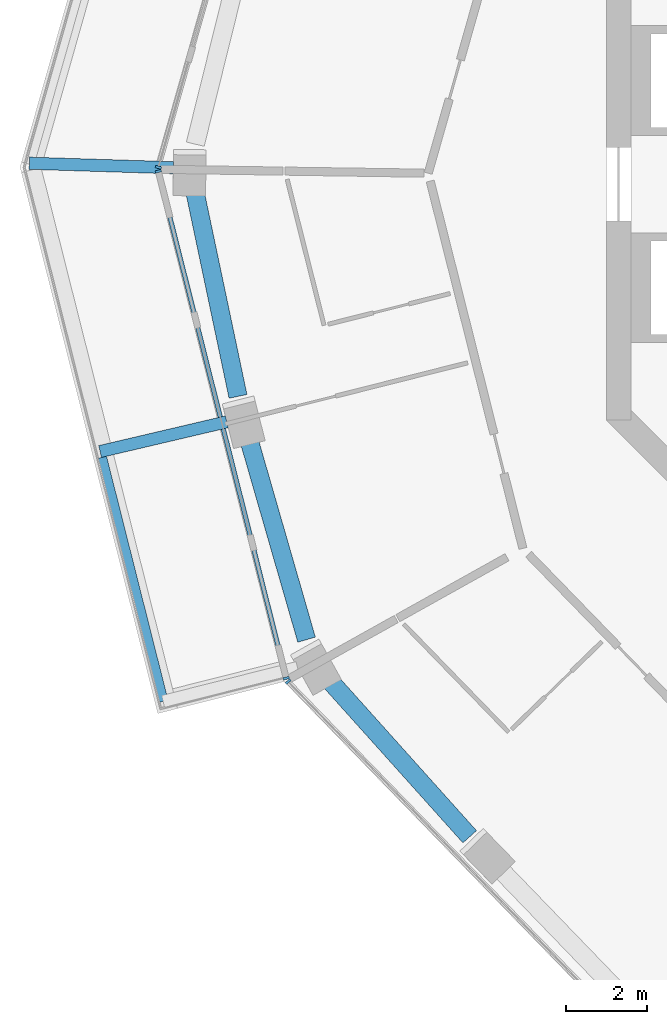
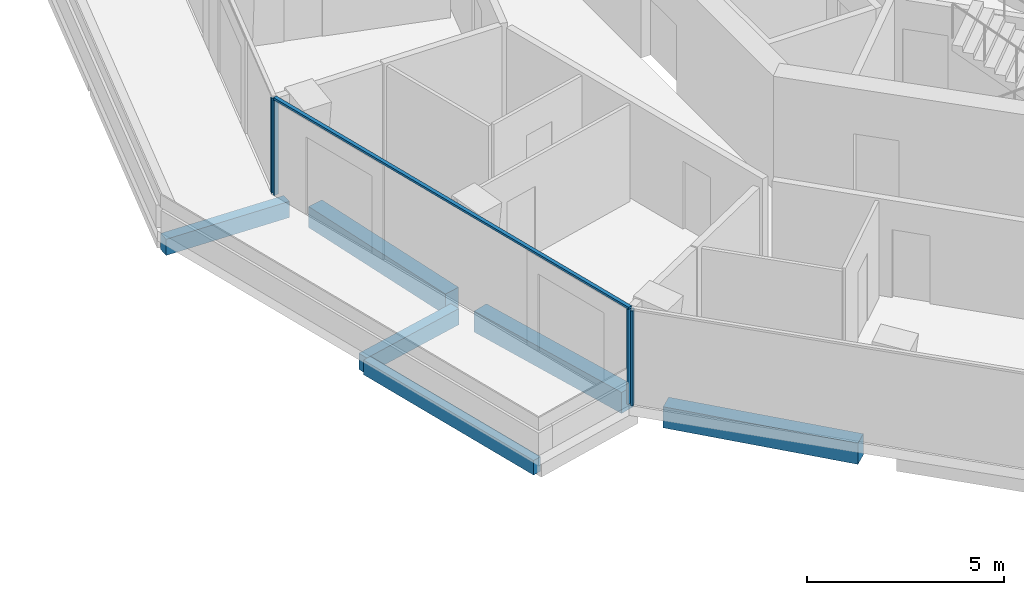
# One storey, part 4 of 24: 6 beams, 5 members, 3 elements without a shape of their own.
"""IFC4 building model written with IfcOpenShell, lengths in metres."""

import ifcopenshell
import ifcopenshell.guid

model = None  # the IFC model being written
_history = None  # IfcOwnerHistory: only IFC2X3 demands one
_inside = {}  # id of a spatial element -> (the spatial element, [elements in it])
_under = {}  # id of a project, library or spatial element -> (it, [spatial elements below it])
_declared = {}  # id of a project -> (the project, [libraries it declares])
_typed = {}  # id of a type object -> (the type object, [elements of that type])
_made_of = {}  # id of a material, layer set ... -> (it, [elements and type objects made of it])


def new_model(schema):
    """Start an empty IFC model of exactly this schema.

    Asked for "IFC4X3", IfcOpenShell would pick the latest addendum, in which some entities
    have other attributes; the version numbers below select the first issue.
    IFC2X3 requires an IfcOwnerHistory on every rooted entity: one is made here for all.
    """
    global model, _history
    if schema == "IFC4X3":
        model = ifcopenshell.file(schema_version=(4, 3, 0, 0))
    else:
        model = ifcopenshell.file(schema=schema)
    _inside.clear()
    _under.clear()
    _declared.clear()
    _typed.clear()
    _made_of.clear()
    _history = None
    if model.schema == "IFC2X3":
        org = make("IfcOrganization", Name="unknown")
        user = make(
            "IfcPersonAndOrganization",
            ThePerson=make("IfcPerson", FamilyName="unknown"),
            TheOrganization=org,
        )
        app = make(
            "IfcApplication",
            ApplicationDeveloper=org,
            Version="unknown",
            ApplicationFullName="unknown",
            ApplicationIdentifier="unknown",
        )
        _history = make(
            "IfcOwnerHistory",
            OwningUser=user,
            OwningApplication=app,
            ChangeAction="ADDED",
            CreationDate=0,
        )
    return model


def make(cls, **values):
    """One entity of the class cls with the attributes given. An attribute that is None is left unset."""
    return model.create_entity(
        cls, **{name: value for name, value in values.items() if value is not None}
    )


def rooted(cls, **values):
    """An entity with a GlobalId (a new one), such as an element, a storey or a relation."""
    return make(cls, GlobalId=ifcopenshell.guid.new(), OwnerHistory=_history, **values)


def si_unit(unit_type, name, prefix=None):
    """IfcSIUnit, for example si_unit("LENGTHUNIT", "METRE", prefix="MILLI")."""
    return make("IfcSIUnit", UnitType=unit_type, Prefix=prefix, Name=name)


def assignment(units):
    """IfcUnitAssignment: the units of a project."""
    return None if units is None else make("IfcUnitAssignment", Units=units)


def point(xyz):
    """IfcCartesianPoint."""
    return None if xyz is None else make("IfcCartesianPoint", Coordinates=xyz)


def direction(xyz):
    """IfcDirection."""
    return None if xyz is None else make("IfcDirection", DirectionRatios=xyz)


def frame(location, z_axis=None, x_axis=None):
    """IfcAxis2Placement3D, a coordinate frame: its origin and axes. An axis left out is left unset."""
    return make(
        "IfcAxis2Placement3D",
        Location=point(location),
        Axis=direction(z_axis),
        RefDirection=direction(x_axis),
    )


def frame_2d(location, x_axis=None):
    """IfcAxis2Placement2D, a coordinate frame in the plane: its origin and x axis."""
    return make(
        "IfcAxis2Placement2D", Location=point(location), RefDirection=direction(x_axis)
    )


def origin():
    """The frame at (0, 0, 0) with its axes left unset."""
    return frame((0.0, 0.0, 0.0))


def origin_2d():
    """The frame at (0, 0) in the plane with its x axis left unset."""
    return frame_2d((0.0, 0.0))


def place(relative_to, where):
    """IfcLocalPlacement: puts the frame where relative to a parent placement (None: the world)."""
    return make(
        "IfcLocalPlacement", PlacementRelTo=relative_to, RelativePlacement=where
    )


def context(
    kind, dimensions, precision=None, world=None, true_north=None, identifier=None
):
    """IfcGeometricRepresentationContext, for example the 3D "Model" context."""
    return make(
        "IfcGeometricRepresentationContext",
        ContextIdentifier=identifier,
        ContextType=kind,
        CoordinateSpaceDimension=dimensions,
        Precision=precision,
        WorldCoordinateSystem=world,
        TrueNorth=true_north,
    )


def subcontext(parent, identifier, kind, view, scale=None):
    """IfcGeometricRepresentationSubContext, for example "Body" below "Model"."""
    return make(
        "IfcGeometricRepresentationSubContext",
        ContextIdentifier=identifier,
        ContextType=kind,
        ParentContext=parent,
        TargetScale=scale,
        TargetView=view,
    )


def project(units=None, contexts=None):
    """IfcProject with its units and contexts."""
    return rooted(
        "IfcProject",
        Name="project",
        RepresentationContexts=contexts,
        UnitsInContext=assignment(units),
    )


def spatial(cls, under=None, at=None, **own):
    """A site, building, storey or space (cls), placed at a placement, below another one or the project."""
    s = rooted(cls, ObjectPlacement=at, **own)
    if under is not None:
        _under.setdefault(under.id(), (under, []))[1].append(s)
    return s


def profile(cls, at=None, kind="AREA", **sizes):
    """A parametric profile (cls). Its sizes go by their IFC names, for example OverallWidth=200.0."""
    return make(cls, ProfileType=kind, Position=at, **sizes)


def rectangle(**sizes):
    """IfcRectangleProfileDef."""
    return profile("IfcRectangleProfileDef", **sizes)


def extrude(swept, where, along, depth):
    """IfcExtrudedAreaSolid: the profile swept, set in the frame where, extruded along a direction by depth."""
    return make(
        "IfcExtrudedAreaSolid",
        SweptArea=swept,
        Position=where,
        ExtrudedDirection=direction(along),
        Depth=depth,
    )


def shape(context_of_items, identifier, shape_type, items):
    """IfcShapeRepresentation: the items that make up one representation, for example the "Body"."""
    return make(
        "IfcShapeRepresentation",
        ContextOfItems=context_of_items,
        RepresentationIdentifier=identifier,
        RepresentationType=shape_type,
        Items=items,
    )


def material(Name=None, Category=None):
    """IfcMaterial."""
    return make("IfcMaterial", Name=Name, Category=Category)


def layer(
    of_material, thickness, ventilated=None, Name=None, Category=None, Priority=None
):
    """IfcMaterialLayer: one layer of a wall or slab, of a material (None: an air gap)."""
    return make(
        "IfcMaterialLayer",
        Material=of_material,
        LayerThickness=thickness,
        IsVentilated=ventilated,
        Name=Name,
        Category=Category,
        Priority=Priority,
    )


def layer_set(layers, Name=None):
    """IfcMaterialLayerSet."""
    return make("IfcMaterialLayerSet", MaterialLayers=layers, LayerSetName=Name)


def material_profile(
    of_material, cross_section, Name=None, Category=None, Priority=None
):
    """IfcMaterialProfile: a cross section and its material."""
    return make(
        "IfcMaterialProfile",
        Name=Name,
        Material=of_material,
        Profile=cross_section,
        Priority=Priority,
        Category=Category,
    )


def profile_set(profiles, Name=None, composite=None):
    """IfcMaterialProfileSet."""
    return make(
        "IfcMaterialProfileSet",
        Name=Name,
        MaterialProfiles=profiles,
        CompositeProfile=composite,
    )


def made_of(thing, what):
    """Note that an element or type object is made of a material, layer set ...; save() writes the relation."""
    if what is not None:
        _made_of.setdefault(what.id(), (what, []))[1].append(thing)
    return thing


def type_object(cls, material=None, **own):
    """A type object (cls), such as IfcWallType, which elements share."""
    return made_of(rooted(cls, **own), material)


def element(
    cls,
    number,
    at=None,
    inside=None,
    cuts=None,
    type_object=None,
    material=None,
    context=None,
    identifier="Body",
    shape_type=None,
    held_by="IfcProductDefinitionShape",
    body=None,
    shapes=None,
    **own,
):
    """One element of the class cls, such as IfcWall. Its Tag is "e" and its number.

    at: its placement. inside: the storey or other place that contains it. cuts: it is an
    opening in that element (IfcRelVoidsElement). A single representation is given by context,
    identifier, shape_type and body (its items); several are given by shapes. held_by: the class
    of the entity that holds the representations. save() writes the other relations.
    """
    e = rooted(cls, Tag="e%d" % number, ObjectPlacement=at, **own)
    if body is not None:
        shapes = [shape(context, identifier, shape_type, body)]
    if shapes is not None:
        e.Representation = make(held_by, Representations=shapes)
    if inside is not None:
        _inside.setdefault(inside.id(), (inside, []))[1].append(e)
    if cuts is not None:
        rooted(
            "IfcRelVoidsElement", RelatingBuildingElement=cuts, RelatedOpeningElement=e
        )
    if type_object is not None:
        _typed.setdefault(type_object.id(), (type_object, []))[1].append(e)
    return made_of(e, material)


def aggregate(whole, parts):
    """IfcRelAggregates: a whole, such as a stair, and the parts it consists of."""
    return rooted("IfcRelAggregates", RelatingObject=whole, RelatedObjects=parts)


def save(model, path):
    """Write the relations noted so far, then the file.

    IfcRelAggregates (storeys below a building ...), IfcRelContainedInSpatialStructure (elements
    in a storey), IfcRelDefinesByType, IfcRelAssociatesMaterial and IfcRelDeclares: one each for
    every whole, place, type object, material and project.
    """
    for whole, parts in _under.values():
        aggregate(whole, parts)
    for where, things in _inside.values():
        rooted(
            "IfcRelContainedInSpatialStructure",
            RelatedElements=things,
            RelatingStructure=where,
        )
    for kind, things in _typed.values():
        rooted("IfcRelDefinesByType", RelatedObjects=things, RelatingType=kind)
    for what, things in _made_of.values():
        rooted("IfcRelAssociatesMaterial", RelatedObjects=things, RelatingMaterial=what)
    for by, libraries in _declared.values():
        rooted("IfcRelDeclares", RelatingContext=by, RelatedDefinitions=libraries)
    model.write(path)


model = new_model("IFC4")

# Units and contexts
model_context = context("Model", 3, precision=1e-05, world=origin(), true_north=direction((0.0, 1.0)))
body_context = subcontext(model_context, "Body", "Model", "MODEL_VIEW")
ifc_project = project(units=[si_unit("LENGTHUNIT", "METRE"), si_unit("AREAUNIT", "SQUARE_METRE"), si_unit("VOLUMEUNIT", "CUBIC_METRE"), si_unit("PLANEANGLEUNIT", "RADIAN"), si_unit("MASSUNIT", "GRAM", prefix="KILO")], contexts=[model_context])

# Site, building, storey
site_placement = place(None, origin())
site = spatial("IfcSite", under=ifc_project, at=site_placement, CompositionType="ELEMENT")
building_placement = place(site_placement, origin())
building = spatial("IfcBuilding", under=site, at=building_placement, Name="Verdalira Terraces Hotel", CompositionType="ELEMENT")
storey_placement = place(building_placement, frame((0.0, 0.0, 212.5)))
storey = spatial("IfcBuildingStorey", under=building, at=storey_placement, Name="L52", CompositionType="ELEMENT", Elevation=212.5)

# Beams
ifc_material_1 = material(Name="Concrete C40", Category="concrete")
ifc_material_profile_1 = material_profile(ifc_material_1, rectangle(XDim=0.300049, YDim=0.5, at=origin_2d()), Name="RC 300X500")
ifc_profile_set_1 = profile_set([ifc_material_profile_1], Name="Concrete C40")
beam_type_1 = type_object("IfcBeamType", Name="Balcony cantilever beam RC 300X500 C40", PredefinedType="BEAM", material=ifc_profile_set_1)
beam_1_placement = place(storey_placement, frame((-23.337158, -5.844727, -0.560059), z_axis=(-0.973578966, -0.228350601, 0.0), x_axis=(0.228350601, -0.973578966, 0.0)))
element("IfcBeam", 1, at=beam_1_placement, inside=storey, type_object=beam_type_1, Name="Balcony cantilever beam R11-1", PredefinedType="BEAM", context=body_context, shape_type="SweptSolid", body=[
    extrude(rectangle(XDim=0.300049, YDim=0.5, at=origin_2d()), origin(), (0.0, 0.0, 1.0), 3.200928),
])
beam_2_placement = place(storey_placement, frame((-24.651123, 0.404053, -0.560059), z_axis=(-0.999506686, 0.03140677, 0.0), x_axis=(-0.03140677, -0.999506686, 0.0)))
element("IfcBeam", 2, at=beam_2_placement, inside=storey, type_object=beam_type_1, Name="Balcony cantilever beam R11-5", PredefinedType="BEAM", context=body_context, shape_type="SweptSolid", body=[
    extrude(rectangle(XDim=0.300049, YDim=0.5, at=origin_2d()), origin(), (0.0, 0.0, 1.0), 3.544678),
])
ifc_material_2 = material(Name="Concrete C40", Category="concrete")
ifc_material_profile_2 = material_profile(ifc_material_2, rectangle(XDim=0.25, YDim=0.449951, at=origin_2d()), Name="RC 250X450")
ifc_profile_set_2 = profile_set([ifc_material_profile_2], Name="Concrete C40")
beam_type_2 = type_object("IfcBeamType", Name="Balcony edge beam RC 250X450 C40", PredefinedType="BEAM", material=ifc_profile_set_2)
beam_3_placement = place(storey_placement, frame((-26.416748, -6.721191, -0.534912), z_axis=(0.244614523, -0.969620408, 0.0), x_axis=(0.969620408, 0.244614523, 0.0)))
element("IfcBeam", 3, at=beam_3_placement, inside=storey, type_object=beam_type_2, Name="Balcony edge beam R11-1", PredefinedType="BEAM", context=body_context, shape_type="SweptSolid", body=[
    extrude(rectangle(XDim=0.25, YDim=0.449951, at=origin_2d()), origin(), (0.0, 0.0, 1.0), 6.187988),
])

# Curtain wall, member
ifc_material_3 = material(Name="Clear glass", Category="glass")
ifc_layer = layer(ifc_material_3, 0.14990234375)
ifc_layer_set = layer_set([ifc_layer], Name="CW1 curtain wall")
curtain_wall_type = type_object("IfcCurtainWallType", Name="CW1 curtain wall", PredefinedType="NOTDEFINED", material=ifc_layer_set)
curtain_wall_1_placement = place(storey_placement, origin())
curtain_wall_1 = element("IfcCurtainWall", 4, at=curtain_wall_1_placement, inside=storey, type_object=curtain_wall_type, Name="CW1 curtain wall L52 edge 11", PredefinedType="NOTDEFINED")
ifc_material_4 = material(Name="Terracotta frame", Category="masonry")
ifc_material_profile_3 = material_profile(ifc_material_4, rectangle(XDim=0.060059, YDim=0.149902, at=origin_2d()), Name="MU 60x150")
ifc_profile_set_3 = profile_set([ifc_material_profile_3], Name="Terracotta frame")
member_type_1 = type_object("IfcMemberType", Name="CW1 mullion 60x150", PredefinedType="MULLION", material=ifc_profile_set_3)
member_1_placement = place(storey_placement, frame((-25.02002, 0.415283, 0.0), z_axis=(0.0, 0.0, 1.0), x_axis=(-0.272951936, -0.962027672, 0.0)))
member_1 = element("IfcMember", 5, at=member_1_placement, type_object=member_type_1, Name="CW1 mullion", PredefinedType="MULLION", context=body_context, shape_type="SweptSolid", body=[
    extrude(rectangle(XDim=0.060059, YDim=0.149902, at=origin_2d()), origin(), (0.0, 0.0, 1.0), 2.935059),
])
aggregate(curtain_wall_1, [member_1])

# Curtain wall, members
curtain_wall_2_placement = place(storey_placement, origin())
curtain_wall_2 = element("IfcCurtainWall", 6, at=curtain_wall_2_placement, inside=storey, type_object=curtain_wall_type, Name="CW1 curtain wall L52 edge 12", PredefinedType="NOTDEFINED")
member_2_placement = place(storey_placement, frame((-25.021484, 0.318359, 0.0), z_axis=(0.0, 0.0, 1.0), x_axis=(0.244630526, -0.96961637, 0.0)))
member_2 = element("IfcMember", 7, at=member_2_placement, type_object=member_type_1, Name="CW1 mullion", PredefinedType="MULLION", context=body_context, shape_type="SweptSolid", body=[
    extrude(rectangle(XDim=0.060059, YDim=0.149902, at=origin_2d()), origin(), (0.0, 0.0, 1.0), 2.935059),
])
member_3_placement = place(storey_placement, frame((-21.875732, -12.150391, 0.0), z_axis=(0.0, 0.0, 1.0), x_axis=(0.244630526, -0.96961637, 0.0)))
member_3 = element("IfcMember", 8, at=member_3_placement, type_object=member_type_1, Name="CW1 mullion", PredefinedType="MULLION", context=body_context, shape_type="SweptSolid", body=[
    extrude(rectangle(XDim=0.060059, YDim=0.149902, at=origin_2d()), origin(), (0.0, 0.0, 1.0), 2.935059),
])

# Curtain wall, member
curtain_wall_3_placement = place(storey_placement, origin())
curtain_wall_3 = element("IfcCurtainWall", 9, at=curtain_wall_3_placement, inside=storey, type_object=curtain_wall_type, Name="CW1 curtain wall L52 edge 13", PredefinedType="NOTDEFINED")
member_4_placement = place(storey_placement, frame((-21.828369, -12.234863, 0.0), z_axis=(0.0, 0.0, 1.0), x_axis=(0.696664435, -0.717397146, 0.0)))
member_4 = element("IfcMember", 10, at=member_4_placement, type_object=member_type_1, Name="CW1 mullion", PredefinedType="MULLION", context=body_context, shape_type="SweptSolid", body=[
    extrude(rectangle(XDim=0.060059, YDim=0.149902, at=origin_2d()), origin(), (0.0, 0.0, 1.0), 2.935059),
])
aggregate(curtain_wall_3, [member_4])

# Member
ifc_material_5 = material(Name="Terracotta frame", Category="masonry")
ifc_material_profile_4 = material_profile(ifc_material_5, rectangle(XDim=0.110107, YDim=0.064941, at=origin_2d()), Name="TR 65x110")
ifc_profile_set_4 = profile_set([ifc_material_profile_4], Name="Terracotta frame")
member_type_2 = type_object("IfcMemberType", Name="CW1 transom 65x110", PredefinedType="USERDEFINED", material=ifc_profile_set_4)
member_5_placement = place(storey_placement, frame((-25.028809, 0.347656, 2.967529), z_axis=(0.244620393, -0.969618927, 0.0), x_axis=(0.969618927, 0.244620393, 0.0)))
member_5 = element("IfcMember", 11, at=member_5_placement, type_object=member_type_2, Name="CW1 transom", ObjectType="TRANSOM", PredefinedType="USERDEFINED", context=body_context, shape_type="SweptSolid", body=[
    extrude(rectangle(XDim=0.110107, YDim=0.064941, at=origin_2d()), origin(), (0.0, 0.0, 1.0), 12.919678),
])

aggregate(curtain_wall_2, [member_2, member_3, member_5])

# Beams
ifc_material_6 = material(Name="Concrete C50", Category="concrete")
ifc_material_profile_5 = material_profile(ifc_material_6, rectangle(XDim=0.449951, YDim=0.649902, at=origin_2d()), Name="RC 450X650")
ifc_profile_set_5 = profile_set([ifc_material_profile_5], Name="Concrete C50")
beam_type_3 = type_object("IfcBeamType", Name="Spandrel beam RC 450X650 C50", PredefinedType="SPANDREL", material=ifc_profile_set_5)
beam_4_placement = place(storey_placement, frame((-24.130859, -0.138672, -0.63501), z_axis=(0.205998632, -0.978552279, 0.0), x_axis=(0.978552279, 0.205998632, 0.0)))
element("IfcBeam", 12, at=beam_4_placement, inside=storey, type_object=beam_type_3, Name="Spandrel beam B06", PredefinedType="SPANDREL", context=body_context, shape_type="SweptSolid", body=[
    extrude(rectangle(XDim=0.449951, YDim=0.649902, at=origin_2d()), origin(), (0.0, 0.0, 1.0), 5.192139),
])
beam_5_placement = place(storey_placement, frame((-22.8125, -6.216797, -0.63501), z_axis=(0.277006965, -0.96086791, 0.0), x_axis=(0.96086791, 0.277006965, 0.0)))
element("IfcBeam", 13, at=beam_5_placement, inside=storey, type_object=beam_type_3, Name="Spandrel beam B07", PredefinedType="SPANDREL", context=body_context, shape_type="SweptSolid", body=[
    extrude(rectangle(XDim=0.449951, YDim=0.649902, at=origin_2d()), origin(), (0.0, 0.0, 1.0), 5.189453),
])
beam_6_placement = place(storey_placement, frame((-20.828613, -12.185547, -0.63501), z_axis=(0.667646583, -0.744478368, 0.0), x_axis=(0.744478368, 0.667646583, 0.0)))
element("IfcBeam", 14, at=beam_6_placement, inside=storey, type_object=beam_type_3, Name="Spandrel beam B08", PredefinedType="SPANDREL", context=body_context, shape_type="SweptSolid", body=[
    extrude(rectangle(XDim=0.449951, YDim=0.649902, at=origin_2d()), origin(), (0.0, 0.0, 1.0), 5.192139),
])

save(model, "model.ifc")
